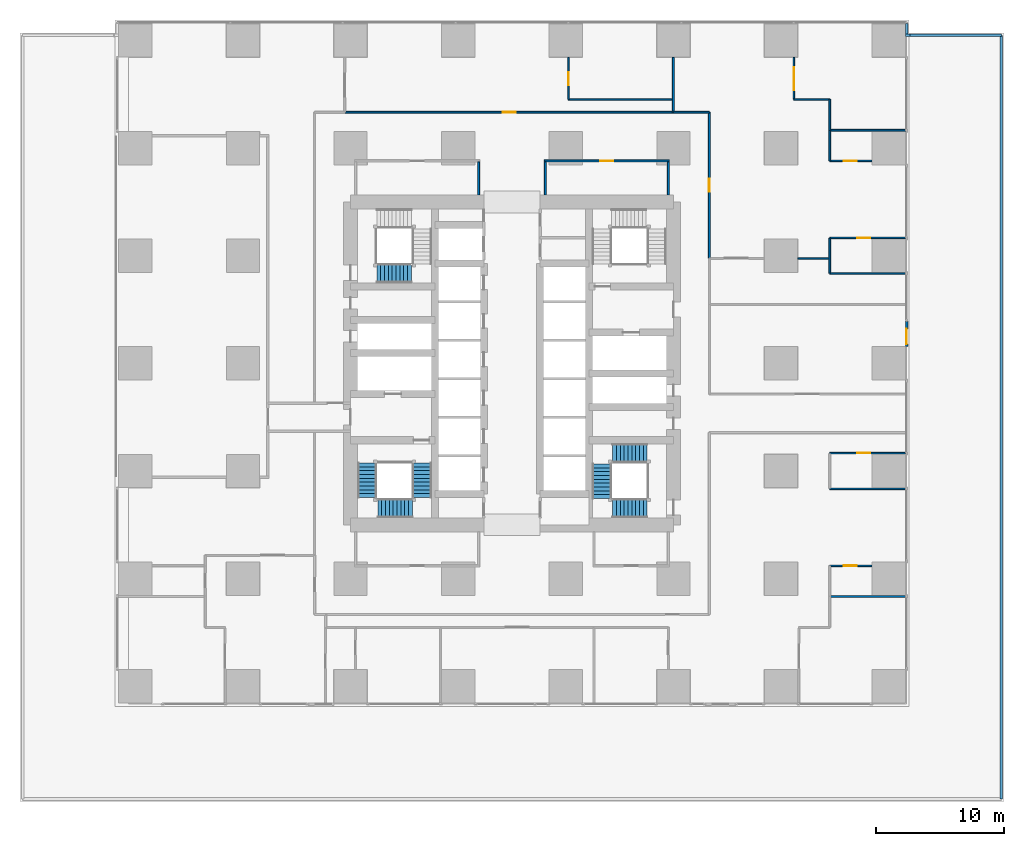
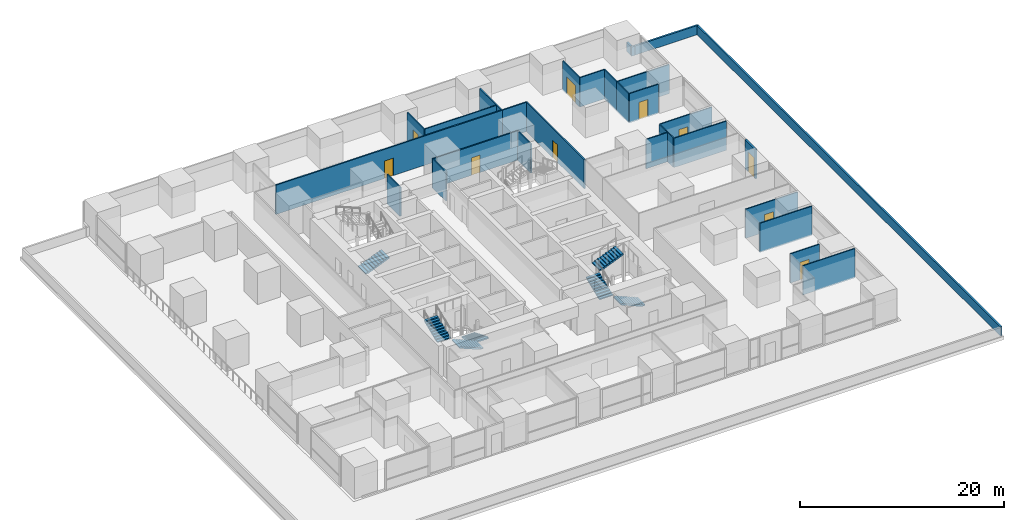
# One storey, part 25 of 35: 29 walls, 10 doors, 7 stair flights, 10 openings, 3 elements without a shape of their own.
"""IFC4 building model written with IfcOpenShell, lengths in metres."""

import ifcopenshell
import ifcopenshell.guid

model = None  # the IFC model being written
_history = None  # IfcOwnerHistory: only IFC2X3 demands one
_inside = {}  # id of a spatial element -> (the spatial element, [elements in it])
_under = {}  # id of a project, library or spatial element -> (it, [spatial elements below it])
_declared = {}  # id of a project -> (the project, [libraries it declares])
_typed = {}  # id of a type object -> (the type object, [elements of that type])
_made_of = {}  # id of a material, layer set ... -> (it, [elements and type objects made of it])


def new_model(schema):
    """Start an empty IFC model of exactly this schema.

    Asked for "IFC4X3", IfcOpenShell would pick the latest addendum, in which some entities
    have other attributes; the version numbers below select the first issue.
    IFC2X3 requires an IfcOwnerHistory on every rooted entity: one is made here for all.
    """
    global model, _history
    if schema == "IFC4X3":
        model = ifcopenshell.file(schema_version=(4, 3, 0, 0))
    else:
        model = ifcopenshell.file(schema=schema)
    _inside.clear()
    _under.clear()
    _declared.clear()
    _typed.clear()
    _made_of.clear()
    _history = None
    if model.schema == "IFC2X3":
        org = make("IfcOrganization", Name="unknown")
        user = make(
            "IfcPersonAndOrganization",
            ThePerson=make("IfcPerson", FamilyName="unknown"),
            TheOrganization=org,
        )
        app = make(
            "IfcApplication",
            ApplicationDeveloper=org,
            Version="unknown",
            ApplicationFullName="unknown",
            ApplicationIdentifier="unknown",
        )
        _history = make(
            "IfcOwnerHistory",
            OwningUser=user,
            OwningApplication=app,
            ChangeAction="ADDED",
            CreationDate=0,
        )
    return model


def make(cls, **values):
    """One entity of the class cls with the attributes given. An attribute that is None is left unset."""
    return model.create_entity(
        cls, **{name: value for name, value in values.items() if value is not None}
    )


def rooted(cls, **values):
    """An entity with a GlobalId (a new one), such as an element, a storey or a relation."""
    return make(cls, GlobalId=ifcopenshell.guid.new(), OwnerHistory=_history, **values)


def si_unit(unit_type, name, prefix=None):
    """IfcSIUnit, for example si_unit("LENGTHUNIT", "METRE", prefix="MILLI")."""
    return make("IfcSIUnit", UnitType=unit_type, Prefix=prefix, Name=name)


def assignment(units):
    """IfcUnitAssignment: the units of a project."""
    return None if units is None else make("IfcUnitAssignment", Units=units)


def point(xyz):
    """IfcCartesianPoint."""
    return None if xyz is None else make("IfcCartesianPoint", Coordinates=xyz)


def direction(xyz):
    """IfcDirection."""
    return None if xyz is None else make("IfcDirection", DirectionRatios=xyz)


def frame(location, z_axis=None, x_axis=None):
    """IfcAxis2Placement3D, a coordinate frame: its origin and axes. An axis left out is left unset."""
    return make(
        "IfcAxis2Placement3D",
        Location=point(location),
        Axis=direction(z_axis),
        RefDirection=direction(x_axis),
    )


def frame_2d(location, x_axis=None):
    """IfcAxis2Placement2D, a coordinate frame in the plane: its origin and x axis."""
    return make(
        "IfcAxis2Placement2D", Location=point(location), RefDirection=direction(x_axis)
    )


def origin():
    """The frame at (0, 0, 0) with its axes left unset."""
    return frame((0.0, 0.0, 0.0))


def place(relative_to, where):
    """IfcLocalPlacement: puts the frame where relative to a parent placement (None: the world)."""
    return make(
        "IfcLocalPlacement", PlacementRelTo=relative_to, RelativePlacement=where
    )


def context(
    kind, dimensions, precision=None, world=None, true_north=None, identifier=None
):
    """IfcGeometricRepresentationContext, for example the 3D "Model" context."""
    return make(
        "IfcGeometricRepresentationContext",
        ContextIdentifier=identifier,
        ContextType=kind,
        CoordinateSpaceDimension=dimensions,
        Precision=precision,
        WorldCoordinateSystem=world,
        TrueNorth=true_north,
    )


def subcontext(parent, identifier, kind, view, scale=None):
    """IfcGeometricRepresentationSubContext, for example "Body" below "Model"."""
    return make(
        "IfcGeometricRepresentationSubContext",
        ContextIdentifier=identifier,
        ContextType=kind,
        ParentContext=parent,
        TargetScale=scale,
        TargetView=view,
    )


def project(units=None, contexts=None):
    """IfcProject with its units and contexts."""
    return rooted(
        "IfcProject",
        Name="project",
        RepresentationContexts=contexts,
        UnitsInContext=assignment(units),
    )


def spatial(cls, under=None, at=None, **own):
    """A site, building, storey or space (cls), placed at a placement, below another one or the project."""
    s = rooted(cls, ObjectPlacement=at, **own)
    if under is not None:
        _under.setdefault(under.id(), (under, []))[1].append(s)
    return s


def polyline(points):
    """IfcPolyline through the points."""
    return make("IfcPolyline", Points=[point(p) for p in points])


def profile(cls, at=None, kind="AREA", **sizes):
    """A parametric profile (cls). Its sizes go by their IFC names, for example OverallWidth=200.0."""
    return make(cls, ProfileType=kind, Position=at, **sizes)


def rectangle(**sizes):
    """IfcRectangleProfileDef."""
    return profile("IfcRectangleProfileDef", **sizes)


def outline(outer, holes=None, kind="AREA"):
    """IfcArbitraryClosedProfileDef: a profile drawn as a closed curve; with holes, ...WithVoids."""
    if holes is None:
        return make("IfcArbitraryClosedProfileDef", ProfileType=kind, OuterCurve=outer)
    return make(
        "IfcArbitraryProfileDefWithVoids",
        ProfileType=kind,
        OuterCurve=outer,
        InnerCurves=holes,
    )


def extrude(swept, where, along, depth):
    """IfcExtrudedAreaSolid: the profile swept, set in the frame where, extruded along a direction by depth."""
    return make(
        "IfcExtrudedAreaSolid",
        SweptArea=swept,
        Position=where,
        ExtrudedDirection=direction(along),
        Depth=depth,
    )


def shape(context_of_items, identifier, shape_type, items):
    """IfcShapeRepresentation: the items that make up one representation, for example the "Body"."""
    return make(
        "IfcShapeRepresentation",
        ContextOfItems=context_of_items,
        RepresentationIdentifier=identifier,
        RepresentationType=shape_type,
        Items=items,
    )


def material(Name=None, Category=None):
    """IfcMaterial."""
    return make("IfcMaterial", Name=Name, Category=Category)


def layer(
    of_material, thickness, ventilated=None, Name=None, Category=None, Priority=None
):
    """IfcMaterialLayer: one layer of a wall or slab, of a material (None: an air gap)."""
    return make(
        "IfcMaterialLayer",
        Material=of_material,
        LayerThickness=thickness,
        IsVentilated=ventilated,
        Name=Name,
        Category=Category,
        Priority=Priority,
    )


def layer_set(layers, Name=None):
    """IfcMaterialLayerSet."""
    return make("IfcMaterialLayerSet", MaterialLayers=layers, LayerSetName=Name)


def made_of(thing, what):
    """Note that an element or type object is made of a material, layer set ...; save() writes the relation."""
    if what is not None:
        _made_of.setdefault(what.id(), (what, []))[1].append(thing)
    return thing


def type_object(cls, material=None, **own):
    """A type object (cls), such as IfcWallType, which elements share."""
    return made_of(rooted(cls, **own), material)


def element(
    cls,
    number,
    at=None,
    inside=None,
    cuts=None,
    type_object=None,
    material=None,
    context=None,
    identifier="Body",
    shape_type=None,
    held_by="IfcProductDefinitionShape",
    body=None,
    shapes=None,
    **own,
):
    """One element of the class cls, such as IfcWall. Its Tag is "e" and its number.

    at: its placement. inside: the storey or other place that contains it. cuts: it is an
    opening in that element (IfcRelVoidsElement). A single representation is given by context,
    identifier, shape_type and body (its items); several are given by shapes. held_by: the class
    of the entity that holds the representations. save() writes the other relations.
    """
    e = rooted(cls, Tag="e%d" % number, ObjectPlacement=at, **own)
    if body is not None:
        shapes = [shape(context, identifier, shape_type, body)]
    if shapes is not None:
        e.Representation = make(held_by, Representations=shapes)
    if inside is not None:
        _inside.setdefault(inside.id(), (inside, []))[1].append(e)
    if cuts is not None:
        rooted(
            "IfcRelVoidsElement", RelatingBuildingElement=cuts, RelatedOpeningElement=e
        )
    if type_object is not None:
        _typed.setdefault(type_object.id(), (type_object, []))[1].append(e)
    return made_of(e, material)


def fill(opening, filler):
    """IfcRelFillsElement: the door or window that sits in an opening."""
    return rooted(
        "IfcRelFillsElement",
        RelatingOpeningElement=opening,
        RelatedBuildingElement=filler,
    )


def aggregate(whole, parts):
    """IfcRelAggregates: a whole, such as a stair, and the parts it consists of."""
    return rooted("IfcRelAggregates", RelatingObject=whole, RelatedObjects=parts)


def save(model, path):
    """Write the relations noted so far, then the file.

    IfcRelAggregates (storeys below a building ...), IfcRelContainedInSpatialStructure (elements
    in a storey), IfcRelDefinesByType, IfcRelAssociatesMaterial and IfcRelDeclares: one each for
    every whole, place, type object, material and project.
    """
    for whole, parts in _under.values():
        aggregate(whole, parts)
    for where, things in _inside.values():
        rooted(
            "IfcRelContainedInSpatialStructure",
            RelatedElements=things,
            RelatingStructure=where,
        )
    for kind, things in _typed.values():
        rooted("IfcRelDefinesByType", RelatedObjects=things, RelatingType=kind)
    for what, things in _made_of.values():
        rooted("IfcRelAssociatesMaterial", RelatedObjects=things, RelatingMaterial=what)
    for by, libraries in _declared.values():
        rooted("IfcRelDeclares", RelatingContext=by, RelatedDefinitions=libraries)
    model.write(path)


model = new_model("IFC4")

# Units and contexts
model_context = context("Model", 3, precision=1e-05, world=origin(), true_north=direction((0.0, 1.0)))
body_context = subcontext(model_context, "Body", "Model", "MODEL_VIEW")
ifc_project = project(units=[si_unit("LENGTHUNIT", "METRE"), si_unit("AREAUNIT", "SQUARE_METRE"), si_unit("VOLUMEUNIT", "CUBIC_METRE"), si_unit("PLANEANGLEUNIT", "RADIAN"), si_unit("MASSUNIT", "GRAM", prefix="KILO")], contexts=[model_context])

# Site, building, storey
site_placement = place(None, origin())
site = spatial("IfcSite", under=ifc_project, at=site_placement, CompositionType="ELEMENT")
building_placement = place(site_placement, origin())
building = spatial("IfcBuilding", under=site, at=building_placement, Name="Rekha Terrace Tower", CompositionType="ELEMENT")
storey_placement = place(building_placement, frame((0.0, 0.0, 25.39990234375)))
storey = spatial("IfcBuildingStorey", under=building, at=storey_placement, Name="L05", CompositionType="ELEMENT", Elevation=25.39990234375)

# Wall, opening, door
ifc_material_1 = material(Name="Aluminium-faced insulated screen wall", Category="aluminium")
ifc_layer_1 = layer(ifc_material_1, 0.199951171875)
ifc_layer_set_1 = layer_set([ifc_layer_1], Name="Aluminium-faced insulated screen wall")
wall_type_1 = type_object("IfcWallType", Name="EW3 terrace door screen wall 200", PredefinedType="SOLIDWALL", material=ifc_layer_set_1)
wall_1_placement = place(storey_placement, frame((68.60009765625, 34.90087890625, 0.0), z_axis=(0.0, 0.0, 1.0), x_axis=(0.0, 1.0, 0.0)))
wall_1 = element("IfcWall", 1, at=wall_1_placement, inside=storey, type_object=wall_type_1, Name="Terrace door screen wall", PredefinedType="SOLIDWALL", context=body_context, shape_type="SweptSolid", body=[
    extrude(rectangle(XDim=1.9990234375, YDim=0.199951171875, at=frame_2d((0.99951171875, 0.0))), origin(), (0.0, 0.0, 1.0), 3.5),
])
opening_1_placement = place(wall_1_placement, frame((0.198974609375, 0.0, 0.0)))
opening_1 = element("IfcOpeningElement", 2, at=opening_1_placement, cuts=wall_1, Name="Opening ED4", PredefinedType="OPENING", context=body_context, shape_type="SweptSolid", body=[
    extrude(rectangle(XDim=1.199951171875, YDim=2.39990234375, at=frame_2d((0.60009765625, 1.199951171875))), frame((0.0, 0.10986328125, 0.0), z_axis=(0.0, -1.0, 0.0), x_axis=(1.0, 0.0, 0.0)), (0.0, 0.0, 1.0), 0.219970703125),
])
ifc_material_2 = material(Name="Aluminium framed laminated glass door", Category="aluminium")
door_type_1 = type_object("IfcDoorType", Name="ED4 glazed terrace door 1200 x 2400", OperationType="SINGLE_SWING_LEFT", PredefinedType="DOOR", material=ifc_material_2)
door_1_placement = place(opening_1_placement, origin())
door_1 = element("IfcDoor", 3, at=door_1_placement, inside=storey, type_object=door_type_1, Name="Terrace door", OperationType="SINGLE_SWING_LEFT", OverallHeight=2.39990234375, OverallWidth=1.199951171875, PredefinedType="DOOR", context=body_context, shape_type="SweptSolid", body=[
    extrude(rectangle(XDim=1.199951171875, YDim=2.39990234375, at=frame_2d((0.60009765625, 1.199951171875))), frame((0.0, 0.02490234375, 0.0), z_axis=(0.0, -1.0, 0.0), x_axis=(1.0, 0.0, 0.0)), (0.0, 0.0, 1.0), 0.050048828125),
])
fill(opening_1, door_1)

# Walls
ifc_material_3 = material(Name="Concrete M40", Category="concrete")
ifc_layer_2 = layer(ifc_material_3, 0.199951171875)
ifc_layer_set_2 = layer_set([ifc_layer_2], Name="Concrete M40")
wall_type_2 = type_object("IfcWallType", Name="PP1 parapet wall 200", PredefinedType="PARAPET", material=ifc_layer_set_2)
wall_2_placement = place(storey_placement, frame((76.0, -0.39990234375, 0.0), z_axis=(0.0, 0.0, 1.0), x_axis=(0.0, 1.0, 0.0)))
element("IfcWall", 4, at=wall_2_placement, inside=storey, type_object=wall_type_2, Name="Podium roof parapet", PredefinedType="PARAPET", context=body_context, shape_type="SweptSolid", body=[
    extrude(rectangle(XDim=59.599853515625, YDim=0.199951171875, at=frame_2d((29.7998046875, 0.0))), origin(), (0.0, 0.0, 1.0), 1.10009765625),
])
wall_3_placement = place(storey_placement, frame((76.0, 59.199951171875, 0.0), z_axis=(0.0, 0.0, 1.0), x_axis=(-1.0, 0.0, 0.0)))
element("IfcWall", 5, at=wall_3_placement, inside=storey, type_object=wall_type_2, Name="Podium roof parapet", PredefinedType="PARAPET", context=body_context, shape_type="SweptSolid", body=[
    extrude(rectangle(XDim=7.139892578125, YDim=0.199951171875, at=frame_2d((3.56982421875, 0.0))), origin(), (0.0, 0.0, 1.0), 1.10009765625),
])
wall_4_placement = place(storey_placement, frame((68.860107421875, 59.199951171875, 0.0), z_axis=(0.0, 0.0, 1.0), x_axis=(-1.0, 0.0, 0.0)))
element("IfcWall", 6, at=wall_4_placement, inside=storey, type_object=wall_type_2, Name="Podium roof parapet", PredefinedType="PARAPET", context=body_context, shape_type="SweptSolid", body=[
    extrude(rectangle(XDim=0.360107421875, YDim=0.199951171875, at=frame_2d((0.18017578125, 0.0))), origin(), (0.0, 0.0, 1.0), 1.10009765625),
])
wall_5_placement = place(storey_placement, frame((68.60009765625, 59.300048828125, 0.0), z_axis=(0.0, 0.0, 1.0), x_axis=(0.0, 1.0, 0.0)))
element("IfcWall", 7, at=wall_5_placement, inside=storey, type_object=wall_type_2, Name="Podium roof parapet", PredefinedType="PARAPET", context=body_context, shape_type="SweptSolid", body=[
    extrude(rectangle(XDim=0.81005859375, YDim=0.199951171875, at=frame_2d((0.405029296875, 0.0))), origin(), (0.0, 0.0, 1.0), 1.10009765625),
])

# Wall, opening, door
ifc_material_4 = material(Name="Concrete block masonry, 1 hour", Category="masonry")
ifc_layer_3 = layer(ifc_material_4, 0.14990234375)
ifc_layer_set_3 = layer_set([ifc_layer_3], Name="Concrete block masonry, 1 hour")
wall_type_3 = type_object("IfcWallType", Name="WP2 150 tenancy partition", PredefinedType="PARTITIONING", material=ifc_layer_set_3)
wall_6_placement = place(storey_placement, frame((40.324951171875, 49.39990234375, 0.0), z_axis=(0.0, 0.0, 1.0), x_axis=(1.0, 0.0, 0.0)))
wall_6 = element("IfcWall", 8, at=wall_6_placement, inside=storey, type_object=wall_type_3, Name="Women's WC wall L05", PredefinedType="PARTITIONING", context=body_context, shape_type="SweptSolid", body=[
    extrude(rectangle(XDim=9.75, YDim=0.14990234375, at=frame_2d((4.875, 0.0))), origin(), (0.0, 0.0, 1.0), 3.5),
])
opening_2_placement = place(wall_6_placement, frame((4.375, 0.0, 0.0)))
opening_2 = element("IfcOpeningElement", 9, at=opening_2_placement, cuts=wall_6, Name="Opening D3", PredefinedType="OPENING", context=body_context, shape_type="SweptSolid", body=[
    extrude(rectangle(XDim=1.0, YDim=2.10009765625, at=frame_2d((0.5, 1.050048828125))), frame((0.0, 0.0849609375, 0.0), z_axis=(0.0, -1.0, 0.0), x_axis=(1.0, 0.0, 0.0)), (0.0, 0.0, 1.0), 0.169921875),
])
ifc_material_5 = material(Name="Laminated timber fire door", Category="wood")
door_type_2 = type_object("IfcDoorType", Name="D3 1000x2100 WC door", OperationType="SINGLE_SWING_LEFT", PredefinedType="DOOR", material=ifc_material_5)
door_2_placement = place(opening_2_placement, origin())
door_2 = element("IfcDoor", 10, at=door_2_placement, inside=storey, type_object=door_type_2, Name="Door women's wc L05", OperationType="SINGLE_SWING_LEFT", OverallHeight=2.10009765625, OverallWidth=1.0, PredefinedType="DOOR", context=body_context, shape_type="SweptSolid", body=[
    extrude(rectangle(XDim=1.0, YDim=2.10009765625, at=frame_2d((0.5, 1.050048828125))), frame((0.0, 0.02490234375, 0.0), z_axis=(0.0, -1.0, 0.0), x_axis=(1.0, 0.0, 0.0)), (0.0, 0.0, 1.0), 0.050048828125),
])
fill(opening_2, door_2)

# Walls
for number, where, z_axis, x_axis, name in (
    (11, (40.39990234375, 46.75, 0.0), (0.0, 0.0, 1.0), (0.0, 1.0, 0.0), "Women's WC wall L05"),
    (12, (50.0, 46.75, 0.0), (0.0, 0.0, 1.0), (0.0, 1.0, 0.0), "Women's WC wall L05"),
    (13, (35.199951171875, 46.75, 0.0), (0.0, 0.0, 1.0), (0.0, 1.0, 0.0), "Women's WC wall L05"),
):
    element("IfcWall", number, at=place(storey_placement, frame(where, z_axis=z_axis, x_axis=x_axis)), inside=storey, type_object=wall_type_3, Name=name, PredefinedType="PARTITIONING", context=body_context, shape_type="SweptSolid", body=[
        extrude(rectangle(XDim=2.574951171875, YDim=0.14990234375, at=frame_2d((1.28759765625, 0.0))), origin(), (0.0, 0.0, 1.0), 3.5),
    ])
wall_7_placement = place(storey_placement, frame((50.40087890625, 53.199951171875, 0.0), z_axis=(0.0, 0.0, 1.0), x_axis=(0.0, 1.0, 0.0)))
element("IfcWall", 14, at=wall_7_placement, inside=storey, type_object=wall_type_3, Name="Partition L05-O2", PredefinedType="PARTITIONING", context=body_context, shape_type="SweptSolid", body=[
    extrude(rectangle(XDim=4.280029296875, YDim=0.14990234375, at=frame_2d((2.14013671875, 0.0))), origin(), (0.0, 0.0, 1.0), 3.5),
])

# Wall, opening, door
wall_8_placement = place(storey_placement, frame((53.199951171875, 41.800048828125, 0.0), z_axis=(0.0, 0.0, 1.0), x_axis=(0.0, 1.0, 0.0)))
wall_8 = element("IfcWall", 15, at=wall_8_placement, inside=storey, type_object=wall_type_3, Name="Partition L05-O2", PredefinedType="PARTITIONING", context=body_context, shape_type="SweptSolid", body=[
    extrude(rectangle(XDim=11.39990234375, YDim=0.14990234375, at=frame_2d((5.699951171875, 0.0))), origin(), (0.0, 0.0, 1.0), 3.5),
])
opening_3_placement = place(wall_8_placement, frame((5.199951171875, 0.0, 0.0)))
opening_3 = element("IfcOpeningElement", 16, at=opening_3_placement, cuts=wall_8, Name="Opening D9", PredefinedType="OPENING", context=body_context, shape_type="SweptSolid", body=[
    extrude(rectangle(XDim=1.0, YDim=2.10009765625, at=frame_2d((0.5, 1.050048828125))), frame((0.0, 0.0849609375, 0.0), z_axis=(0.0, -1.0, 0.0), x_axis=(1.0, 0.0, 0.0)), (0.0, 0.0, 1.0), 0.169921875),
])
ifc_material_6 = material(Name="Timber fire door", Category="wood")
door_type_3 = type_object("IfcDoorType", Name="D9 1000x2100 office door", OperationType="SINGLE_SWING_LEFT", PredefinedType="DOOR", material=ifc_material_6)
door_3_placement = place(opening_3_placement, origin())
door_3 = element("IfcDoor", 17, at=door_3_placement, inside=storey, type_object=door_type_3, Name="Door open-plan office L05", OperationType="SINGLE_SWING_LEFT", OverallHeight=2.10009765625, OverallWidth=1.0, PredefinedType="DOOR", context=body_context, shape_type="SweptSolid", body=[
    extrude(rectangle(XDim=1.0, YDim=2.10009765625, at=frame_2d((0.5, 1.050048828125))), frame((0.0, 0.02490234375, 0.0), z_axis=(0.0, -1.0, 0.0), x_axis=(1.0, 0.0, 0.0)), (0.0, 0.0, 1.0), 0.050048828125),
])
fill(opening_3, door_3)

# Wall
wall_9_placement = place(storey_placement, frame((53.199951171875, 53.199951171875, 0.0), z_axis=(0.0, 0.0, 1.0), x_axis=(-1.0, 0.0, 0.0)))
element("IfcWall", 18, at=wall_9_placement, inside=storey, type_object=wall_type_3, Name="Partition L05-O2", PredefinedType="PARTITIONING", context=body_context, shape_type="SweptSolid", body=[
    extrude(rectangle(XDim=2.799072265625, YDim=0.14990234375, at=frame_2d((1.3994140625, 0.0))), origin(), (0.0, 0.0, 1.0), 3.5),
])

# Wall, opening, door
wall_10_placement = place(storey_placement, frame((50.39892578125, 53.199951171875, 0.0), z_axis=(0.0, 0.0, 1.0), x_axis=(-1.0, 0.0, 0.0)))
wall_10 = element("IfcWall", 19, at=wall_10_placement, inside=storey, type_object=wall_type_3, Name="Partition L05-O3", PredefinedType="PARTITIONING", context=body_context, shape_type="SweptSolid", body=[
    extrude(rectangle(XDim=25.64892578125, YDim=0.14990234375, at=frame_2d((12.824462890625, 0.0))), origin(), (0.0, 0.0, 1.0), 3.5),
])
opening_4_placement = place(wall_10_placement, frame((12.324951171875, 0.0, 0.0)))
opening_4 = element("IfcOpeningElement", 20, at=opening_4_placement, cuts=wall_10, Name="Opening D9", PredefinedType="OPENING", context=body_context, shape_type="SweptSolid", body=[
    extrude(rectangle(XDim=1.0, YDim=2.10009765625, at=frame_2d((0.5, 1.050048828125))), frame((0.0, 0.0849609375, 0.0), z_axis=(0.0, -1.0, 0.0), x_axis=(1.0, 0.0, 0.0)), (0.0, 0.0, 1.0), 0.169921875),
])
door_4_placement = place(opening_4_placement, origin())
door_4 = element("IfcDoor", 21, at=door_4_placement, inside=storey, type_object=door_type_3, Name="Door open-plan office L05", OperationType="SINGLE_SWING_LEFT", OverallHeight=2.10009765625, OverallWidth=1.0, PredefinedType="DOOR", context=body_context, shape_type="SweptSolid", body=[
    extrude(rectangle(XDim=1.0, YDim=2.10009765625, at=frame_2d((0.5, 1.050048828125))), frame((0.0, 0.02490234375, 0.0), z_axis=(0.0, -1.0, 0.0), x_axis=(1.0, 0.0, 0.0)), (0.0, 0.0, 1.0), 0.050048828125),
])
fill(opening_4, door_4)

# Wall
ifc_material_7 = material(Name="Two layers of fire-rated gypsum board each side on steel studs, acoustic quilt, 1 hour", Category="steel")
ifc_layer_4 = layer(ifc_material_7, 0.125)
ifc_layer_set_4 = layer_set([ifc_layer_4], Name="Two layers of fire-rated gypsum board each side on steel studs, acoustic quilt, 1 hour")
wall_type_4 = type_object("IfcWallType", Name="WP3 125 office partition", PredefinedType="PARTITIONING", material=ifc_layer_set_4)
wall_11_placement = place(storey_placement, frame((62.6630859375, 15.407958984375, 0.0), z_axis=(0.0, 0.0, 1.0), x_axis=(1.0, 0.0, 0.0)))
element("IfcWall", 22, at=wall_11_placement, inside=storey, type_object=wall_type_4, Name="Partition L05-04", PredefinedType="PARTITIONING", context=body_context, shape_type="SweptSolid", body=[
    extrude(rectangle(XDim=5.85693359375, YDim=0.125, at=frame_2d((2.928466796875, 0.0))), origin(), (0.0, 0.0, 1.0), 3.5),
])

# Wall, opening, door
wall_12_placement = place(storey_placement, frame((62.60009765625, 17.800048828125, 0.0), z_axis=(0.0, 0.0, 1.0), x_axis=(1.0, 0.0, 0.0)))
wall_12 = element("IfcWall", 23, at=wall_12_placement, inside=storey, type_object=wall_type_4, Name="Partition L05-05", PredefinedType="PARTITIONING", context=body_context, shape_type="SweptSolid", body=[
    extrude(rectangle(XDim=3.27978515625, YDim=0.125, at=frame_2d((1.639892578125, 0.0))), origin(), (0.0, 0.0, 1.0), 3.5),
])
opening_5_placement = place(wall_12_placement, frame((1.10498046875, 0.0, 0.0)))
opening_5 = element("IfcOpeningElement", 24, at=opening_5_placement, cuts=wall_12, Name="Opening D9", PredefinedType="OPENING", context=body_context, shape_type="SweptSolid", body=[
    extrude(rectangle(XDim=1.0, YDim=2.10009765625, at=frame_2d((0.5, 1.050048828125))), frame((0.0, 0.072509765625, 0.0), z_axis=(0.0, -1.0, 0.0), x_axis=(1.0, 0.0, 0.0)), (0.0, 0.0, 1.0), 0.14501953125),
])
door_5_placement = place(opening_5_placement, origin())
door_5 = element("IfcDoor", 25, at=door_5_placement, inside=storey, type_object=door_type_3, Name="Door office L05", OperationType="SINGLE_SWING_LEFT", OverallHeight=2.10009765625, OverallWidth=1.0, PredefinedType="DOOR", context=body_context, shape_type="SweptSolid", body=[
    extrude(rectangle(XDim=1.0, YDim=2.10009765625, at=frame_2d((0.5, 1.050048828125))), frame((0.0, 0.02490234375, 0.0), z_axis=(0.0, -1.0, 0.0), x_axis=(1.0, 0.0, 0.0)), (0.0, 0.0, 1.0), 0.050048828125),
])
fill(opening_5, door_5)

wall_13_placement = place(storey_placement, frame((62.60009765625, 26.593017578125, 0.0), z_axis=(0.0, 0.0, 1.0), x_axis=(1.0, 0.0, 0.0)))
wall_13 = element("IfcWall", 26, at=wall_13_placement, inside=storey, type_object=wall_type_4, Name="Partition L05-06", PredefinedType="PARTITIONING", context=body_context, shape_type="SweptSolid", body=[
    extrude(rectangle(XDim=5.919921875, YDim=0.125, at=frame_2d((2.9599609375, 0.0))), origin(), (0.0, 0.0, 1.0), 3.5),
])
opening_6_placement = place(wall_13_placement, frame((2.159912109375, 0.0, 0.0)))
opening_6 = element("IfcOpeningElement", 27, at=opening_6_placement, cuts=wall_13, Name="Opening D9", PredefinedType="OPENING", context=body_context, shape_type="SweptSolid", body=[
    extrude(rectangle(XDim=1.0, YDim=2.10009765625, at=frame_2d((0.5, 1.050048828125))), frame((0.0, 0.072509765625, 0.0), z_axis=(0.0, -1.0, 0.0), x_axis=(1.0, 0.0, 0.0)), (0.0, 0.0, 1.0), 0.14501953125),
])
door_6_placement = place(opening_6_placement, origin())
door_6 = element("IfcDoor", 28, at=door_6_placement, inside=storey, type_object=door_type_3, Name="Door office L05", OperationType="SINGLE_SWING_LEFT", OverallHeight=2.10009765625, OverallWidth=1.0, PredefinedType="DOOR", context=body_context, shape_type="SweptSolid", body=[
    extrude(rectangle(XDim=1.0, YDim=2.10009765625, at=frame_2d((0.5, 1.050048828125))), frame((0.0, 0.02490234375, 0.0), z_axis=(0.0, -1.0, 0.0), x_axis=(1.0, 0.0, 0.0)), (0.0, 0.0, 1.0), 0.050048828125),
])
fill(opening_6, door_6)

# Walls
for number, where, z_axis, x_axis, name in (
    (29, (68.52001953125, 23.806884765625, 0.0), (0.0, 0.0, 1.0), (-1.0, 0.0, 0.0), "Partition L05-06"),
    (30, (68.52001953125, 40.60791015625, 0.0), (0.0, 0.0, 1.0), (-1.0, 0.0, 0.0), "Partition L05-09"),
):
    element("IfcWall", number, at=place(storey_placement, frame(where, z_axis=z_axis, x_axis=x_axis)), inside=storey, type_object=wall_type_4, Name=name, PredefinedType="PARTITIONING", context=body_context, shape_type="SweptSolid", body=[
        extrude(rectangle(XDim=5.919921875, YDim=0.125, at=frame_2d((2.9599609375, 0.0))), origin(), (0.0, 0.0, 1.0), 3.5),
    ])
wall_14_placement = place(storey_placement, frame((62.60009765625, 40.635986328125, 0.0), z_axis=(0.0, 0.0, 1.0), x_axis=(0.0, 1.0, 0.0)))
element("IfcWall", 31, at=wall_14_placement, inside=storey, type_object=wall_type_4, Name="Partition L05-09", PredefinedType="PARTITIONING", context=body_context, shape_type="SweptSolid", body=[
    extrude(rectangle(XDim=2.72900390625, YDim=0.125, at=frame_2d((1.364501953125, 0.0))), origin(), (0.0, 0.0, 1.0), 3.5),
])

# Wall, opening, door
wall_15_placement = place(storey_placement, frame((62.60009765625, 43.39208984375, 0.0), z_axis=(0.0, 0.0, 1.0), x_axis=(1.0, 0.0, 0.0)))
wall_15 = element("IfcWall", 32, at=wall_15_placement, inside=storey, type_object=wall_type_4, Name="Partition L05-09", PredefinedType="PARTITIONING", context=body_context, shape_type="SweptSolid", body=[
    extrude(rectangle(XDim=5.919921875, YDim=0.125, at=frame_2d((2.9599609375, 0.0))), origin(), (0.0, 0.0, 1.0), 3.5),
])
opening_7_placement = place(wall_15_placement, frame((2.159912109375, 0.0, 0.0)))
opening_7 = element("IfcOpeningElement", 33, at=opening_7_placement, cuts=wall_15, Name="Opening D9", PredefinedType="OPENING", context=body_context, shape_type="SweptSolid", body=[
    extrude(rectangle(XDim=1.0, YDim=2.10009765625, at=frame_2d((0.5, 1.050048828125))), frame((0.0, 0.072509765625, 0.0), z_axis=(0.0, -1.0, 0.0), x_axis=(1.0, 0.0, 0.0)), (0.0, 0.0, 1.0), 0.14501953125),
])
door_7_placement = place(opening_7_placement, origin())
door_7 = element("IfcDoor", 34, at=door_7_placement, inside=storey, type_object=door_type_3, Name="Door office L05", OperationType="SINGLE_SWING_LEFT", OverallHeight=2.10009765625, OverallWidth=1.0, PredefinedType="DOOR", context=body_context, shape_type="SweptSolid", body=[
    extrude(rectangle(XDim=1.0, YDim=2.10009765625, at=frame_2d((0.5, 1.050048828125))), frame((0.0, 0.02490234375, 0.0), z_axis=(0.0, -1.0, 0.0), x_axis=(1.0, 0.0, 0.0)), (0.0, 0.0, 1.0), 0.050048828125),
])
fill(opening_7, door_7)

wall_16_placement = place(storey_placement, frame((65.8798828125, 49.39990234375, 0.0), z_axis=(0.0, 0.0, 1.0), x_axis=(-1.0, 0.0, 0.0)))
wall_16 = element("IfcWall", 35, at=wall_16_placement, inside=storey, type_object=wall_type_4, Name="Partition L05-10", PredefinedType="PARTITIONING", context=body_context, shape_type="SweptSolid", body=[
    extrude(rectangle(XDim=3.27978515625, YDim=0.125, at=frame_2d((1.639892578125, 0.0))), origin(), (0.0, 0.0, 1.0), 3.5),
])
opening_8_placement = place(wall_16_placement, frame((1.175048828125, 0.0, 0.0)))
opening_8 = element("IfcOpeningElement", 36, at=opening_8_placement, cuts=wall_16, Name="Opening D9", PredefinedType="OPENING", context=body_context, shape_type="SweptSolid", body=[
    extrude(rectangle(XDim=1.0, YDim=2.10009765625, at=frame_2d((0.5, 1.050048828125))), frame((0.0, 0.072509765625, 0.0), z_axis=(0.0, -1.0, 0.0), x_axis=(1.0, 0.0, 0.0)), (0.0, 0.0, 1.0), 0.14501953125),
])
door_8_placement = place(opening_8_placement, origin())
door_8 = element("IfcDoor", 37, at=door_8_placement, inside=storey, type_object=door_type_3, Name="Door office L05", OperationType="SINGLE_SWING_LEFT", OverallHeight=2.10009765625, OverallWidth=1.0, PredefinedType="DOOR", context=body_context, shape_type="SweptSolid", body=[
    extrude(rectangle(XDim=1.0, YDim=2.10009765625, at=frame_2d((0.5, 1.050048828125))), frame((0.0, 0.02490234375, 0.0), z_axis=(0.0, -1.0, 0.0), x_axis=(1.0, 0.0, 0.0)), (0.0, 0.0, 1.0), 0.050048828125),
])
fill(opening_8, door_8)

# Walls
wall_17_placement = place(storey_placement, frame((62.60009765625, 49.39990234375, 0.0), z_axis=(0.0, 0.0, 1.0), x_axis=(0.0, 1.0, 0.0)))
element("IfcWall", 38, at=wall_17_placement, inside=storey, type_object=wall_type_4, Name="Partition L05-10", PredefinedType="PARTITIONING", context=body_context, shape_type="SweptSolid", body=[
    extrude(rectangle(XDim=2.364990234375, YDim=0.125, at=frame_2d((1.1826171875, 0.0))), origin(), (0.0, 0.0, 1.0), 3.5),
])
wall_18_placement = place(storey_placement, frame((62.6630859375, 51.7919921875, 0.0), z_axis=(0.0, 0.0, 1.0), x_axis=(1.0, 0.0, 0.0)))
element("IfcWall", 39, at=wall_18_placement, inside=storey, type_object=wall_type_4, Name="Partition L05-10", PredefinedType="PARTITIONING", context=body_context, shape_type="SweptSolid", body=[
    extrude(rectangle(XDim=5.85693359375, YDim=0.125, at=frame_2d((2.928466796875, 0.0))), origin(), (0.0, 0.0, 1.0), 3.5),
])

# Wall, opening, door
wall_19_placement = place(storey_placement, frame((59.801025390625, 54.199951171875, 0.0), z_axis=(0.0, 0.0, 1.0), x_axis=(0.0, 1.0, 0.0)))
wall_19 = element("IfcWall", 40, at=wall_19_placement, inside=storey, type_object=wall_type_4, Name="Partition L05-11", PredefinedType="PARTITIONING", context=body_context, shape_type="SweptSolid", body=[
    extrude(rectangle(XDim=3.280029296875, YDim=0.125, at=frame_2d((1.64013671875, 0.0))), origin(), (0.0, 0.0, 1.0), 3.5),
])
opening_9_placement = place(wall_19_placement, frame((0.705078125, 0.0, 0.0)))
opening_9 = element("IfcOpeningElement", 41, at=opening_9_placement, cuts=wall_19, Name="Opening D8", PredefinedType="OPENING", context=body_context, shape_type="SweptSolid", body=[
    extrude(rectangle(XDim=1.800048828125, YDim=2.10009765625, at=frame_2d((0.89990234375, 1.050048828125))), frame((0.0, 0.072509765625, 0.0), z_axis=(0.0, -1.0, 0.0), x_axis=(1.0, 0.0, 0.0)), (0.0, 0.0, 1.0), 0.14501953125),
])
door_type_4 = type_object("IfcDoorType", Name="D8 1800x2100 double leaf door", OperationType="DOUBLE_DOOR_SINGLE_SWING", PredefinedType="DOOR", material=ifc_material_6)
door_9_placement = place(opening_9_placement, origin())
door_9 = element("IfcDoor", 42, at=door_9_placement, inside=storey, type_object=door_type_4, Name="Door business lounge L05", OperationType="DOUBLE_DOOR_SINGLE_SWING", OverallHeight=2.10009765625, OverallWidth=1.800048828125, PredefinedType="DOOR", context=body_context, shape_type="SweptSolid", body=[
    extrude(rectangle(XDim=1.800048828125, YDim=2.10009765625, at=frame_2d((0.89990234375, 1.050048828125))), frame((0.0, 0.02490234375, 0.0), z_axis=(0.0, -1.0, 0.0), x_axis=(1.0, 0.0, 0.0)), (0.0, 0.0, 1.0), 0.050048828125),
])
fill(opening_9, door_9)

# Walls
wall_20_placement = place(storey_placement, frame((62.60009765625, 51.76611328125, 0.0), z_axis=(0.0, 0.0, 1.0), x_axis=(0.0, 1.0, 0.0)))
element("IfcWall", 43, at=wall_20_placement, inside=storey, type_object=wall_type_4, Name="Partition L05-11", PredefinedType="PARTITIONING", context=body_context, shape_type="SweptSolid", body=[
    extrude(rectangle(XDim=2.433837890625, YDim=0.125, at=frame_2d((1.216796875, 0.0))), origin(), (0.0, 0.0, 1.0), 3.5),
])
wall_21_placement = place(storey_placement, frame((62.60009765625, 54.199951171875, 0.0), z_axis=(0.0, 0.0, 1.0), x_axis=(-1.0, 0.0, 0.0)))
element("IfcWall", 44, at=wall_21_placement, inside=storey, type_object=wall_type_4, Name="Partition L05-11", PredefinedType="PARTITIONING", context=body_context, shape_type="SweptSolid", body=[
    extrude(rectangle(XDim=2.799072265625, YDim=0.125, at=frame_2d((1.3994140625, 0.0))), origin(), (0.0, 0.0, 1.0), 3.5),
])
wall_22_placement = place(storey_placement, frame((60.1201171875, 41.800048828125, 0.0), z_axis=(0.0, 0.0, 1.0), x_axis=(1.0, 0.0, 0.0)))
element("IfcWall", 45, at=wall_22_placement, inside=storey, type_object=wall_type_4, Name="Partition L05-13", PredefinedType="PARTITIONING", context=body_context, shape_type="SweptSolid", body=[
    extrude(rectangle(XDim=2.41796875, YDim=0.125, at=frame_2d((1.208984375, 0.0))), origin(), (0.0, 0.0, 1.0), 3.5),
])
wall_23_placement = place(storey_placement, frame((50.325927734375, 54.199951171875, 0.0), z_axis=(0.0, 0.0, 1.0), x_axis=(-1.0, 0.0, 0.0)))
element("IfcWall", 46, at=wall_23_placement, inside=storey, type_object=wall_type_4, Name="Partition L05-14", PredefinedType="PARTITIONING", context=body_context, shape_type="SweptSolid", body=[
    extrude(rectangle(XDim=8.125, YDim=0.125, at=frame_2d((4.0625, 0.0))), origin(), (0.0, 0.0, 1.0), 3.5),
])

# Wall, opening, door
wall_24_placement = place(storey_placement, frame((42.200927734375, 54.199951171875, 0.0), z_axis=(0.0, 0.0, 1.0), x_axis=(0.0, 1.0, 0.0)))
wall_24 = element("IfcWall", 47, at=wall_24_placement, inside=storey, type_object=wall_type_4, Name="Partition L05-14", PredefinedType="PARTITIONING", context=body_context, shape_type="SweptSolid", body=[
    extrude(rectangle(XDim=3.280029296875, YDim=0.125, at=frame_2d((1.64013671875, 0.0))), origin(), (0.0, 0.0, 1.0), 3.5),
])
opening_10_placement = place(wall_24_placement, frame((1.10498046875, 0.0, 0.0)))
opening_10 = element("IfcOpeningElement", 48, at=opening_10_placement, cuts=wall_24, Name="Opening D9", PredefinedType="OPENING", context=body_context, shape_type="SweptSolid", body=[
    extrude(rectangle(XDim=1.0, YDim=2.10009765625, at=frame_2d((0.5, 1.050048828125))), frame((0.0, 0.072509765625, 0.0), z_axis=(0.0, -1.0, 0.0), x_axis=(1.0, 0.0, 0.0)), (0.0, 0.0, 1.0), 0.14501953125),
])
door_10_placement = place(opening_10_placement, origin())
door_10 = element("IfcDoor", 49, at=door_10_placement, inside=storey, type_object=door_type_3, Name="Door office L05", OperationType="SINGLE_SWING_LEFT", OverallHeight=2.10009765625, OverallWidth=1.0, PredefinedType="DOOR", context=body_context, shape_type="SweptSolid", body=[
    extrude(rectangle(XDim=1.0, YDim=2.10009765625, at=frame_2d((0.5, 1.050048828125))), frame((0.0, 0.02490234375, 0.0), z_axis=(0.0, -1.0, 0.0), x_axis=(1.0, 0.0, 0.0)), (0.0, 0.0, 1.0), 0.050048828125),
])
fill(opening_10, door_10)

# Stair, stair flights
stair_type = type_object("IfcStairType", Name="ST30 stair, 30 risers of 125, going 300, 1500 wide flights, 3 flights", PredefinedType="HALF_TURN_STAIR", material=ifc_material_3)
stair_1_placement = place(storey_placement, origin())
stair_1 = element("IfcStair", 50, at=stair_1_placement, inside=storey, type_object=stair_type, Name="Stair ST1 L05 to L06", PredefinedType="HALF_TURN_STAIR")
stair_flight_type = type_object("IfcStairFlightType", Name="SF10 stair flight, 10 risers of 125, going 300, 1500 wide", PredefinedType="STRAIGHT", material=ifc_material_3)
stair_flight_1_placement = place(storey_placement, frame((30.77490234375, 25.824951171875, 0.0), z_axis=(0.0, 0.0, 1.0), x_axis=(0.0, -1.0, 0.0)))
stair_flight_1 = element("IfcStairFlight", 51, at=stair_flight_1_placement, type_object=stair_flight_type, Name="ST1 flight 1", NumberOfRisers=10, NumberOfTreads=9, PredefinedType="STRAIGHT", RiserHeight=0.125, TreadLength=0.3, context=body_context, shape_type="SweptSolid", body=[
    extrude(outline(polyline([(0.0, 0.0), (0.0, 0.125), (0.300048828125, 0.125), (0.300048828125, 0.25), (0.60009765625, 0.25), (0.60009765625, 0.375), (0.89990234375, 0.375), (0.89990234375, 0.5), (1.199951171875, 0.5), (1.199951171875, 0.625), (1.5, 0.625), (1.5, 0.75), (1.800048828125, 0.75), (1.800048828125, 0.875), (2.10009765625, 0.875), (2.10009765625, 1.0), (2.39990234375, 1.0), (2.39990234375, 1.125), (2.699951171875, 1.125), (2.699951171875, 1.25), (2.699951171875, 0.962646484375), (0.3896484375, 0.0), (0.0, 0.0)])), frame((0.0, 0.75, 0.0), z_axis=(0.0, -1.0, 0.0), x_axis=(1.0, 0.0, 0.0)), (0.0, 0.0, 1.0), 1.5),
])
stair_flight_2_placement = place(storey_placement, frame((30.02490234375, 22.300048828125, 1.25), z_axis=(0.0, 0.0, 1.0), x_axis=(-1.0, 0.0, 0.0)))
stair_flight_2 = element("IfcStairFlight", 52, at=stair_flight_2_placement, type_object=stair_flight_type, Name="ST1 flight 2", NumberOfRisers=10, NumberOfTreads=9, PredefinedType="STRAIGHT", RiserHeight=0.125, TreadLength=0.3, context=body_context, shape_type="SweptSolid", body=[
    extrude(outline(polyline([(0.0, 0.0), (0.0, 0.125), (0.300048828125, 0.125), (0.300048828125, 0.25), (0.60009765625, 0.25), (0.60009765625, 0.375), (0.89990234375, 0.375), (0.89990234375, 0.5), (1.199951171875, 0.5), (1.199951171875, 0.625), (1.5, 0.625), (1.5, 0.75), (1.800048828125, 0.75), (1.800048828125, 0.875), (2.10009765625, 0.875), (2.10009765625, 1.0), (2.39990234375, 1.0), (2.39990234375, 1.125), (2.699951171875, 1.125), (2.699951171875, 1.25), (2.699951171875, 0.962646484375), (0.3896484375, 0.0), (0.0, 0.0)])), frame((0.0, 0.75, 0.0), z_axis=(0.0, -1.0, 0.0), x_axis=(1.0, 0.0, 0.0)), (0.0, 0.0, 1.0), 1.5),
])
stair_flight_3_placement = place(storey_placement, frame((26.5, 23.125, 2.5), z_axis=(0.0, 0.0, 1.0), x_axis=(0.0, 1.0, 0.0)))
stair_flight_3 = element("IfcStairFlight", 53, at=stair_flight_3_placement, type_object=stair_flight_type, Name="ST1 flight 3", NumberOfRisers=10, NumberOfTreads=9, PredefinedType="STRAIGHT", RiserHeight=0.125, TreadLength=0.3, context=body_context, shape_type="SweptSolid", body=[
    extrude(outline(polyline([(0.0, 0.0), (0.0, 0.125), (0.300048828125, 0.125), (0.300048828125, 0.25), (0.60009765625, 0.25), (0.60009765625, 0.375), (0.89990234375, 0.375), (0.89990234375, 0.5), (1.199951171875, 0.5), (1.199951171875, 0.625), (1.5, 0.625), (1.5, 0.75), (1.800048828125, 0.75), (1.800048828125, 0.875), (2.10009765625, 0.875), (2.10009765625, 1.0), (2.39990234375, 1.0), (2.39990234375, 1.125), (2.699951171875, 1.125), (2.699951171875, 1.25), (2.699951171875, 0.962646484375), (0.3896484375, 0.0), (0.0, 0.0)])), frame((0.0, 0.75, 0.0), z_axis=(0.0, -1.0, 0.0), x_axis=(1.0, 0.0, 0.0)), (0.0, 0.0, 1.0), 1.5),
])
aggregate(stair_1, [stair_flight_1, stair_flight_2, stair_flight_3])

stair_2_placement = place(storey_placement, origin())
stair_2 = element("IfcStair", 54, at=stair_2_placement, inside=storey, type_object=stair_type, Name="Stair ST3 L05 to L06", PredefinedType="HALF_TURN_STAIR")
stair_flight_4_placement = place(storey_placement, frame((48.35009765625, 22.300048828125, 0.0), z_axis=(0.0, 0.0, 1.0), x_axis=(-1.0, 0.0, 0.0)))
stair_flight_4 = element("IfcStairFlight", 55, at=stair_flight_4_placement, type_object=stair_flight_type, Name="ST3 flight 1", NumberOfRisers=10, NumberOfTreads=9, PredefinedType="STRAIGHT", RiserHeight=0.125, TreadLength=0.3, context=body_context, shape_type="SweptSolid", body=[
    extrude(outline(polyline([(0.0, 0.0), (0.0, 0.125), (0.300048828125, 0.125), (0.300048828125, 0.25), (0.60009765625, 0.25), (0.60009765625, 0.375), (0.89990234375, 0.375), (0.89990234375, 0.5), (1.199951171875, 0.5), (1.199951171875, 0.625), (1.5, 0.625), (1.5, 0.75), (1.800048828125, 0.75), (1.800048828125, 0.875), (2.10009765625, 0.875), (2.10009765625, 1.0), (2.39990234375, 1.0), (2.39990234375, 1.125), (2.699951171875, 1.125), (2.699951171875, 1.25), (2.699951171875, 0.962646484375), (0.3896484375, 0.0), (0.0, 0.0)])), frame((0.0, 0.75, 0.0), z_axis=(0.0, -1.0, 0.0), x_axis=(1.0, 0.0, 0.0)), (0.0, 0.0, 1.0), 1.5),
])
stair_flight_5_placement = place(storey_placement, frame((44.824951171875, 23.050048828125, 1.25), z_axis=(0.0, 0.0, 1.0), x_axis=(0.0, 1.0, 0.0)))
stair_flight_5 = element("IfcStairFlight", 56, at=stair_flight_5_placement, type_object=stair_flight_type, Name="ST3 flight 2", NumberOfRisers=10, NumberOfTreads=9, PredefinedType="STRAIGHT", RiserHeight=0.125, TreadLength=0.3, context=body_context, shape_type="SweptSolid", body=[
    extrude(outline(polyline([(0.0, 0.0), (0.0, 0.125), (0.300048828125, 0.125), (0.300048828125, 0.25), (0.60009765625, 0.25), (0.60009765625, 0.375), (0.89990234375, 0.375), (0.89990234375, 0.5), (1.199951171875, 0.5), (1.199951171875, 0.625), (1.5, 0.625), (1.5, 0.75), (1.800048828125, 0.75), (1.800048828125, 0.875), (2.10009765625, 0.875), (2.10009765625, 1.0), (2.39990234375, 1.0), (2.39990234375, 1.125), (2.699951171875, 1.125), (2.699951171875, 1.25), (2.699951171875, 0.962646484375), (0.3896484375, 0.0), (0.0, 0.0)])), frame((0.0, 0.75, 0.0), z_axis=(0.0, -1.0, 0.0), x_axis=(1.0, 0.0, 0.0)), (0.0, 0.0, 1.0), 1.5),
])
stair_flight_6_placement = place(storey_placement, frame((45.64990234375, 26.574951171875, 2.5), z_axis=(0.0, 0.0, 1.0), x_axis=(1.0, 0.0, 0.0)))
stair_flight_6 = element("IfcStairFlight", 57, at=stair_flight_6_placement, type_object=stair_flight_type, Name="ST3 flight 3", NumberOfRisers=10, NumberOfTreads=9, PredefinedType="STRAIGHT", RiserHeight=0.125, TreadLength=0.3, context=body_context, shape_type="SweptSolid", body=[
    extrude(outline(polyline([(0.0, 0.0), (0.0, 0.125), (0.300048828125, 0.125), (0.300048828125, 0.25), (0.60009765625, 0.25), (0.60009765625, 0.375), (0.89990234375, 0.375), (0.89990234375, 0.5), (1.199951171875, 0.5), (1.199951171875, 0.625), (1.5, 0.625), (1.5, 0.75), (1.800048828125, 0.75), (1.800048828125, 0.875), (2.10009765625, 0.875), (2.10009765625, 1.0), (2.39990234375, 1.0), (2.39990234375, 1.125), (2.699951171875, 1.125), (2.699951171875, 1.25), (2.699951171875, 0.962646484375), (0.3896484375, 0.0), (0.0, 0.0)])), frame((0.0, 0.75, 0.0), z_axis=(0.0, -1.0, 0.0), x_axis=(1.0, 0.0, 0.0)), (0.0, 0.0, 1.0), 1.5),
])
aggregate(stair_2, [stair_flight_4, stair_flight_5, stair_flight_6])

# Stair, stair flight
stair_3_placement = place(storey_placement, origin())
stair_3 = element("IfcStair", 58, at=stair_3_placement, inside=storey, type_object=stair_type, Name="Stair ST4 L05 to L06", PredefinedType="HALF_TURN_STAIR")
stair_flight_7_placement = place(storey_placement, frame((27.25, 40.625, 0.0), z_axis=(0.0, 0.0, 1.0), x_axis=(1.0, 0.0, 0.0)))
stair_flight_7 = element("IfcStairFlight", 59, at=stair_flight_7_placement, type_object=stair_flight_type, Name="ST4 flight 1", NumberOfRisers=10, NumberOfTreads=9, PredefinedType="STRAIGHT", RiserHeight=0.125, TreadLength=0.3, context=body_context, shape_type="SweptSolid", body=[
    extrude(outline(polyline([(0.0, 0.0), (0.0, 0.125), (0.300048828125, 0.125), (0.300048828125, 0.25), (0.60009765625, 0.25), (0.60009765625, 0.375), (0.89990234375, 0.375), (0.89990234375, 0.5), (1.199951171875, 0.5), (1.199951171875, 0.625), (1.5, 0.625), (1.5, 0.75), (1.800048828125, 0.75), (1.800048828125, 0.875), (2.10009765625, 0.875), (2.10009765625, 1.0), (2.39990234375, 1.0), (2.39990234375, 1.125), (2.699951171875, 1.125), (2.699951171875, 1.25), (2.699951171875, 0.962646484375), (0.3896484375, 0.0), (0.0, 0.0)])), frame((0.0, 0.75, 0.0), z_axis=(0.0, -1.0, 0.0), x_axis=(1.0, 0.0, 0.0)), (0.0, 0.0, 1.0), 1.5),
])
aggregate(stair_3, [stair_flight_7])

save(model, "model.ifc")
